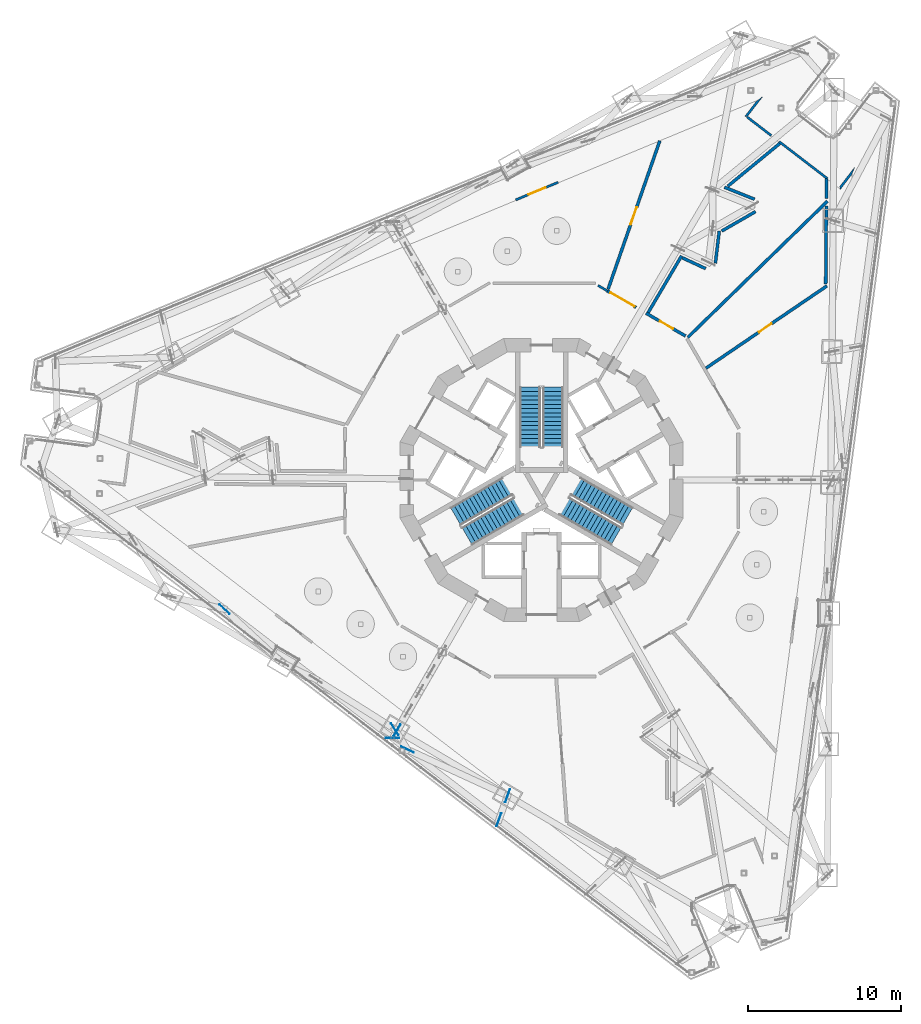
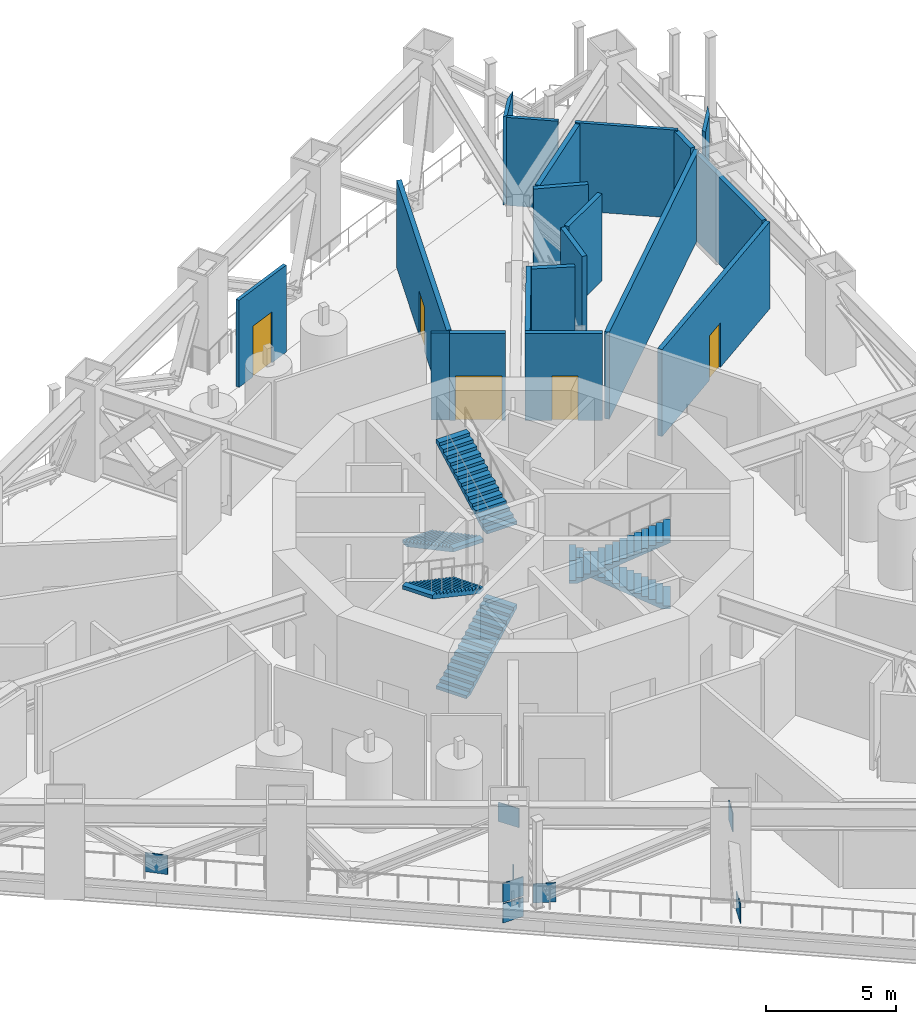
# One storey, part 12 of 23: 19 walls, 8 discrete accessories, 6 stair flights, 5 doors, 5 openings, 3 elements without a shape of their own.
"""IFC4 building model written with IfcOpenShell, lengths in metres."""

from ifc_helpers import new_model, si_unit, direction, frame, frame_2d, origin, origin_2d, place, context, subcontext, project, spatial, polyline, rectangle, outline, extrude, material, layer, layer_set, type_object, element, fill, aggregate, save


model = new_model("IFC4")

# Units and contexts
model_context = context("Model", 3, precision=1e-05, world=origin(), true_north=direction((0.0, 1.0)))
body_context = subcontext(model_context, "Body", "Model", "MODEL_VIEW")
ifc_project = project(units=[si_unit("LENGTHUNIT", "METRE"), si_unit("AREAUNIT", "SQUARE_METRE"), si_unit("VOLUMEUNIT", "CUBIC_METRE"), si_unit("PLANEANGLEUNIT", "RADIAN"), si_unit("MASSUNIT", "GRAM", prefix="KILO")], contexts=[model_context])

# Site, building, storey
site_placement = place(None, origin())
site = spatial("IfcSite", under=ifc_project, at=site_placement, CompositionType="ELEMENT")
building_placement = place(site_placement, origin())
building = spatial("IfcBuilding", under=site, at=building_placement, Name="Trine Commons Tower", CompositionType="ELEMENT")
storey_placement = place(building_placement, frame((0.0, 0.0, 156.60009765625)))
storey = spatial("IfcBuildingStorey", under=building, at=storey_placement, Name="L40", CompositionType="ELEMENT", Elevation=156.60009765625)

# Wall
ifc_material_1 = material(Name="Plasterboard on steel stud", Category="steel")
ifc_layer_1 = layer(ifc_material_1, 0.14990234375)
ifc_layer_set_1 = layer_set([ifc_layer_1], Name="Plasterboard on steel stud")
wall_type_1 = type_object("IfcWallType", Name="Compartment wall 150 mm, EI 60", PredefinedType="PARTITIONING", material=ifc_layer_set_1)
wall_1_placement = place(storey_placement, frame((83.691650390625, 75.23291015625, 0.0), z_axis=(0.0, 0.0, 1.0), x_axis=(0.866015650984, -0.500016891966, 0.0)))
element("IfcWall", 1, at=wall_1_placement, inside=storey, type_object=wall_type_1, Name="Partition M40029", PredefinedType="PARTITIONING", context=body_context, shape_type="SweptSolid", body=[
    extrude(rectangle(XDim=0.7177734375, YDim=0.14990234375, at=frame_2d((0.35888671875, 0.0))), origin(), (0.0, 0.0, 1.0), 4.099853515625),
])

# Wall, opening, door
ifc_layer_2 = layer(ifc_material_1, 0.199951171875)
ifc_layer_set_2 = layer_set([ifc_layer_2], Name="Plasterboard on steel stud")
wall_type_2 = type_object("IfcWallType", Name="Fire wall 200 mm, EI 120", PredefinedType="PARTITIONING", material=ifc_layer_set_2)
wall_2_placement = place(storey_placement, frame((86.187255859375, 73.7919921875, 0.0), z_axis=(0.0, 0.0, 1.0), x_axis=(-0.865992090159, 0.500057696454, 0.0)))
wall_2 = element("IfcWall", 2, at=wall_2_placement, inside=storey, type_object=wall_type_2, Name="Partition M40030", PredefinedType="PARTITIONING", context=body_context, shape_type="SweptSolid", body=[
    extrude(rectangle(XDim=2.164306640625, YDim=0.199951171875, at=frame_2d((1.08203125, 0.0))), origin(), (0.0, 0.0, 1.0), 4.099853515625),
])
opening_1_placement = place(wall_2_placement, frame((0.132080078125, 0.0, 0.0)))
opening_1 = element("IfcOpeningElement", 3, at=opening_1_placement, cuts=wall_2, Name="Opening D-M4008", PredefinedType="OPENING", context=body_context, shape_type="SweptSolid", body=[
    extrude(rectangle(XDim=1.800048828125, YDim=2.10009765625, at=frame_2d((0.89990234375, 1.050048828125))), frame((0.0, 0.10986328125, 0.0), z_axis=(0.0, -1.0, 0.0), x_axis=(1.0, 0.0, 0.0)), (0.0, 0.0, 1.0), 0.219970703125),
])
ifc_material_2 = material(Name="Timber fire door set", Category="wood")
door_type_1 = type_object("IfcDoorType", Name="Double swing door 1800x2100, FD60", OperationType="DOUBLE_DOOR_DOUBLE_SWING", PredefinedType="DOOR", material=ifc_material_2)
door_1_placement = place(opening_1_placement, origin())
door_1 = element("IfcDoor", 4, at=door_1_placement, inside=storey, type_object=door_type_1, Name="Door D-M4008", OperationType="DOUBLE_DOOR_DOUBLE_SWING", OverallHeight=2.10009765625, OverallWidth=1.800048828125, PredefinedType="DOOR", context=body_context, shape_type="SweptSolid", body=[
    extrude(rectangle(XDim=1.800048828125, YDim=2.10009765625, at=frame_2d((0.89990234375, 1.050048828125))), frame((0.0, 0.02490234375, 0.0), z_axis=(0.0, -1.0, 0.0), x_axis=(1.0, 0.0, 0.0)), (0.0, 0.0, 1.0), 0.050048828125),
])
fill(opening_1, door_1)

wall_3_placement = place(storey_placement, frame((87.73974609375, 84.705322265625, 0.0), z_axis=(0.0, 0.0, 1.0), x_axis=(-0.329138006897, -0.944281828913, 0.0)))
wall_3 = element("IfcWall", 5, at=wall_3_placement, inside=storey, type_object=wall_type_2, Name="Partition M40031", PredefinedType="PARTITIONING", context=body_context, shape_type="SweptSolid", body=[
    extrude(rectangle(XDim=10.290283203125, YDim=0.199951171875, at=frame_2d((5.14501953125, 0.0))), origin(), (0.0, 0.0, 1.0), 4.099853515625),
])
opening_2_placement = place(wall_3_placement, frame((4.605712890625, 0.0, 0.0)))
opening_2 = element("IfcOpeningElement", 6, at=opening_2_placement, cuts=wall_3, Name="Opening D-M4009", PredefinedType="OPENING", context=body_context, shape_type="SweptSolid", body=[
    extrude(rectangle(XDim=1.199951171875, YDim=2.10009765625, at=frame_2d((0.60009765625, 1.050048828125))), frame((0.0, 0.10986328125, 0.0), z_axis=(0.0, -1.0, 0.0), x_axis=(1.0, 0.0, 0.0)), (0.0, 0.0, 1.0), 0.219970703125),
])
door_type_2 = type_object("IfcDoorType", Name="Single swing door 1200x2100, FD60", OperationType="SINGLE_SWING_LEFT", PredefinedType="DOOR", material=ifc_material_2)
door_2_placement = place(opening_2_placement, origin())
door_2 = element("IfcDoor", 7, at=door_2_placement, inside=storey, type_object=door_type_2, Name="Door D-M4009", OperationType="SINGLE_SWING_LEFT", OverallHeight=2.10009765625, OverallWidth=1.199951171875, PredefinedType="DOOR", context=body_context, shape_type="SweptSolid", body=[
    extrude(rectangle(XDim=1.199951171875, YDim=2.10009765625, at=frame_2d((0.60009765625, 1.050048828125))), frame((0.0, 0.02490234375, 0.0), z_axis=(0.0, -1.0, 0.0), x_axis=(1.0, 0.0, 0.0)), (0.0, 0.0, 1.0), 0.050048828125),
])
fill(opening_2, door_2)

wall_4_placement = place(storey_placement, frame((86.836669921875, 73.417236328125, 0.0), z_axis=(0.0, 0.0, 1.0), x_axis=(0.866011369566, -0.500024307192, 0.0)))
wall_4 = element("IfcWall", 8, at=wall_4_placement, inside=storey, type_object=wall_type_2, Name="Partition M40036", PredefinedType="PARTITIONING", context=body_context, shape_type="SweptSolid", body=[
    extrude(rectangle(XDim=2.987060546875, YDim=0.199951171875, at=frame_2d((1.49365234375, 0.0))), origin(), (0.0, 0.0, 1.0), 4.099853515625),
])
opening_3_placement = place(wall_4_placement, frame((1.04345703125, 0.0, 0.0)))
opening_3 = element("IfcOpeningElement", 9, at=opening_3_placement, cuts=wall_4, Name="Opening D-M4011", PredefinedType="OPENING", context=body_context, shape_type="SweptSolid", body=[
    extrude(rectangle(XDim=1.0, YDim=2.10009765625, at=frame_2d((0.5, 1.050048828125))), frame((0.0, 0.10986328125, 0.0), z_axis=(0.0, -1.0, 0.0), x_axis=(1.0, 0.0, 0.0)), (0.0, 0.0, 1.0), 0.219970703125),
])
door_type_3 = type_object("IfcDoorType", Name="Single swing door 1000x2100, FD60", OperationType="SINGLE_SWING_LEFT", PredefinedType="DOOR", material=ifc_material_2)
door_3_placement = place(opening_3_placement, origin())
door_3 = element("IfcDoor", 10, at=door_3_placement, inside=storey, type_object=door_type_3, Name="Door D-M4011", OperationType="SINGLE_SWING_LEFT", OverallHeight=2.10009765625, OverallWidth=1.0, PredefinedType="DOOR", context=body_context, shape_type="SweptSolid", body=[
    extrude(rectangle(XDim=1.0, YDim=2.10009765625, at=frame_2d((0.5, 1.050048828125))), frame((0.0, 0.02490234375, 0.0), z_axis=(0.0, -1.0, 0.0), x_axis=(1.0, 0.0, 0.0)), (0.0, 0.0, 1.0), 0.050048828125),
])
fill(opening_3, door_3)

# Walls
wall_5_placement = place(storey_placement, frame((86.9755859375, 73.455810546875, 0.0), z_axis=(0.0, 0.0, 1.0), x_axis=(0.507568634504, 0.861611328424, 0.0)))
element("IfcWall", 11, at=wall_5_placement, inside=storey, type_object=wall_type_2, Name="Partition M40037", PredefinedType="PARTITIONING", context=body_context, shape_type="SweptSolid", body=[
    extrude(rectangle(XDim=4.3173828125, YDim=0.199951171875, at=frame_2d((2.15869140625, 0.0))), origin(), (0.0, 0.0, 1.0), 4.099853515625),
])
wall_6_placement = place(storey_placement, frame((89.21630859375, 77.043212890625, 0.0), z_axis=(0.0, 0.0, 1.0), x_axis=(0.90717537535, -0.420752704518, 0.0)))
element("IfcWall", 12, at=wall_6_placement, inside=storey, type_object=wall_type_2, Name="Partition M40042", PredefinedType="PARTITIONING", context=body_context, shape_type="SweptSolid", body=[
    extrude(rectangle(XDim=1.680419921875, YDim=0.199951171875, at=frame_2d((0.84033203125, 0.0))), origin(), (0.0, 0.0, 1.0), 4.099853515625),
])
wall_7_placement = place(storey_placement, frame((89.573486328125, 71.8369140625, 0.0), z_axis=(0.0, 0.0, 1.0), x_axis=(0.715909856784, 0.698192721933, 0.0)))
element("IfcWall", 13, at=wall_7_placement, inside=storey, type_object=wall_type_2, Name="Partition M40045", PredefinedType="PARTITIONING", context=body_context, shape_type="SweptSolid", body=[
    extrude(rectangle(XDim=12.77392578125, YDim=0.199951171875, at=frame_2d((6.386962890625, 0.0))), origin(), (0.0, 0.0, 1.0), 4.099853515625),
])

# Wall, opening, door
wall_8_placement = place(storey_placement, frame((98.681396484375, 75.20361328125, 0.0), z_axis=(0.0, 0.0, 1.0), x_axis=(-0.826924131101, -0.56231350811, 0.0)))
wall_8 = element("IfcWall", 14, at=wall_8_placement, inside=storey, type_object=wall_type_2, Name="Partition M40047", PredefinedType="PARTITIONING", context=body_context, shape_type="SweptSolid", body=[
    extrude(rectangle(XDim=9.576171875, YDim=0.199951171875, at=frame_2d((4.7880859375, 0.0))), origin(), (0.0, 0.0, 1.0), 4.099853515625),
])
opening_4_placement = place(wall_8_placement, frame((4.3916015625, 0.0, 0.0)))
opening_4 = element("IfcOpeningElement", 15, at=opening_4_placement, cuts=wall_8, Name="Opening D-M4014", PredefinedType="OPENING", context=body_context, shape_type="SweptSolid", body=[
    extrude(rectangle(XDim=1.0, YDim=2.10009765625, at=frame_2d((0.5, 1.050048828125))), frame((0.0, 0.10986328125, 0.0), z_axis=(0.0, -1.0, 0.0), x_axis=(1.0, 0.0, 0.0)), (0.0, 0.0, 1.0), 0.219970703125),
])
door_4_placement = place(opening_4_placement, origin())
door_4 = element("IfcDoor", 16, at=door_4_placement, inside=storey, type_object=door_type_3, Name="Door D-M4014", OperationType="SINGLE_SWING_LEFT", OverallHeight=2.10009765625, OverallWidth=1.0, PredefinedType="DOOR", context=body_context, shape_type="SweptSolid", body=[
    extrude(rectangle(XDim=1.0, YDim=2.10009765625, at=frame_2d((0.5, 1.050048828125))), frame((0.0, 0.02490234375, 0.0), z_axis=(0.0, -1.0, 0.0), x_axis=(1.0, 0.0, 0.0)), (0.0, 0.0, 1.0), 0.050048828125),
])
fill(opening_4, door_4)

# Walls
wall_9_placement = place(storey_placement, frame((91.376953125, 76.690673828125, 0.0), z_axis=(0.0, 0.0, 1.0), x_axis=(0.119508760601, 0.992833146173, 0.0)))
element("IfcWall", 17, at=wall_9_placement, inside=storey, type_object=wall_type_2, Name="Partition M40048", PredefinedType="PARTITIONING", context=body_context, shape_type="SweptSolid", body=[
    extrude(rectangle(XDim=2.118408203125, YDim=0.199951171875, at=frame_2d((1.05908203125, 0.0))), origin(), (0.0, 0.0, 1.0), 4.099853515625),
])
wall_10_placement = place(storey_placement, frame((91.791259765625, 78.79443359375, 0.0), z_axis=(0.0, 0.0, 1.0), x_axis=(0.866638738251, 0.498936165619, 0.0)))
element("IfcWall", 18, at=wall_10_placement, inside=storey, type_object=wall_type_2, Name="Partition M40049", PredefinedType="PARTITIONING", context=body_context, shape_type="SweptSolid", body=[
    extrude(rectangle(XDim=2.55419921875, YDim=0.199951171875, at=frame_2d((1.277099609375, 0.0))), origin(), (0.0, 0.0, 1.0), 4.099853515625),
])
wall_11_placement = place(storey_placement, frame((91.96728515625, 81.662353515625, 0.0), z_axis=(0.0, 0.0, 1.0), x_axis=(0.929516917736, -0.368779472914, 0.0)))
element("IfcWall", 19, at=wall_11_placement, inside=storey, type_object=wall_type_2, Name="Partition M40050", PredefinedType="PARTITIONING", context=body_context, shape_type="SweptSolid", body=[
    extrude(rectangle(XDim=2.129150390625, YDim=0.199951171875, at=frame_2d((1.064453125, 0.0))), origin(), (0.0, 0.0, 1.0), 4.099853515625),
])
wall_12_placement = place(storey_placement, frame((92.19140625, 81.733154296875, 0.0), z_axis=(0.0, 0.0, 1.0), x_axis=(0.772477643964, 0.63504195891, 0.0)))
element("IfcWall", 20, at=wall_12_placement, inside=storey, type_object=wall_type_2, Name="Partition M40051", PredefinedType="PARTITIONING", context=body_context, shape_type="SweptSolid", body=[
    extrude(rectangle(XDim=4.439208984375, YDim=0.199951171875, at=frame_2d((2.2197265625, 0.0))), origin(), (0.0, 0.0, 1.0), 4.099853515625),
])
wall_13_placement = place(storey_placement, frame((98.600341796875, 75.340576171875, 0.0), z_axis=(0.0, 0.0, 1.0), x_axis=(0.008699479584, 0.999962158812, 0.0)))
element("IfcWall", 21, at=wall_13_placement, inside=storey, type_object=wall_type_2, Name="Partition M40054", PredefinedType="PARTITIONING", context=body_context, shape_type="SweptSolid", body=[
    extrude(rectangle(XDim=5.107666015625, YDim=0.199951171875, at=frame_2d((2.5537109375, 0.0))), origin(), (0.0, 0.0, 1.0), 4.099853515625),
])
wall_14_placement = place(storey_placement, frame((98.649169921875, 80.927978515625, 0.0), z_axis=(0.0, 0.0, 1.0), x_axis=(0.008693680141, 0.999962209249, 0.0)))
element("IfcWall", 22, at=wall_14_placement, inside=storey, type_object=wall_type_2, Name="Partition M40055", PredefinedType="PARTITIONING", context=body_context, shape_type="SweptSolid", body=[
    extrude(rectangle(XDim=1.291748046875, YDim=0.199951171875, at=frame_2d((0.64599609375, 0.0))), origin(), (0.0, 0.0, 1.0), 4.099853515625),
])

# Wall, opening, door
ifc_material_3 = material(Name="Aluminium-framed insulated wall panel", Category="aluminium")
ifc_layer_3 = layer(ifc_material_3, 0.14990234375)
ifc_layer_set_3 = layer_set([ifc_layer_3], Name="Aluminium-framed insulated wall panel")
wall_type_3 = type_object("IfcWallType", Name="Gallery frame wall 150 mm, EI 60", PredefinedType="SOLIDWALL", material=ifc_layer_set_3)
wall_15_placement = place(storey_placement, frame((78.308837890625, 80.8369140625, 0.0), z_axis=(0.0, 0.0, 1.0), x_axis=(0.923895833029, 0.382644077064, 0.0)))
wall_15 = element("IfcWall", 23, at=wall_15_placement, inside=storey, type_object=wall_type_3, Name="Gallery frame wall L40 F1", PredefinedType="SOLIDWALL", context=body_context, shape_type="SweptSolid", body=[
    extrude(rectangle(XDim=3.0, YDim=0.14990234375, at=frame_2d((1.5, 0.0))), origin(), (0.0, 0.0, 1.0), 4.099853515625),
])
opening_5_placement = place(wall_15_placement, frame((0.89990234375, 0.0, 0.0)))
opening_5 = element("IfcOpeningElement", 24, at=opening_5_placement, cuts=wall_15, Name="Opening D-GD1", PredefinedType="OPENING", context=body_context, shape_type="SweptSolid", body=[
    extrude(rectangle(XDim=1.199951171875, YDim=2.39990234375, at=frame_2d((0.60009765625, 1.199951171875))), frame((0.0, 0.0849609375, 0.0), z_axis=(0.0, -1.0, 0.0), x_axis=(1.0, 0.0, 0.0)), (0.0, 0.0, 1.0), 0.169921875),
])
ifc_material_4 = material(Name="Anodised aluminium frame with double glazing", Category="aluminium")
door_type_4 = type_object("IfcDoorType", Name="Gallery sliding door 1200x2400", OperationType="SLIDING_TO_LEFT", PredefinedType="DOOR", material=ifc_material_4)
door_5_placement = place(opening_5_placement, origin())
door_5 = element("IfcDoor", 25, at=door_5_placement, inside=storey, type_object=door_type_4, Name="Gallery service door L40 F1", OperationType="SLIDING_TO_LEFT", OverallHeight=2.39990234375, OverallWidth=1.199951171875, PredefinedType="DOOR", context=body_context, shape_type="SweptSolid", body=[
    extrude(rectangle(XDim=1.199951171875, YDim=2.39990234375, at=frame_2d((0.60009765625, 1.199951171875))), frame((0.0, 0.02490234375, 0.0), z_axis=(0.0, -1.0, 0.0), x_axis=(1.0, 0.0, 0.0)), (0.0, 0.0, 1.0), 0.050048828125),
])
fill(opening_5, door_5)

# Walls
ifc_material_5 = material(Name="Anodised aluminium louvre blades in an aluminium frame, alloy 6063-T6", Category="aluminium")
ifc_layer_4 = layer(ifc_material_5, 0.14990234375)
ifc_layer_set_4 = layer_set([ifc_layer_4], Name="Anodised aluminium louvre blades in an aluminium frame, alloy 6063-T6")
wall_type_4 = type_object("IfcWallType", Name="Louvre screen wall 150", PredefinedType="SOLIDWALL", material=ifc_layer_set_4)
wall_16_placement = place(storey_placement, frame((94.193115234375, 87.345703125, 0.0), z_axis=(0.0, 0.0, 1.0), x_axis=(-0.608762998157, -0.793352136239, 0.0)))
element("IfcWall", 26, at=wall_16_placement, inside=storey, type_object=wall_type_4, Name="Louvre screen L40-05", PredefinedType="SOLIDWALL", context=body_context, shape_type="SweptSolid", body=[
    extrude(outline(polyline([(0.1494140625, -0.074951171875), (1.385009765625, -0.074951171875), (1.235107421875, 0.074951171875), (-0.410400390625, 0.074951171875), (0.1494140625, -0.074951171875)])), origin(), (0.0, 0.0, 1.0), 4.14990234375),
])
wall_17_placement = place(storey_placement, frame((93.447021484375, 86.2666015625, 0.0), z_axis=(0.0, 0.0, 1.0), x_axis=(0.793402374063, -0.608697521624, 0.0)))
element("IfcWall", 27, at=wall_17_placement, inside=storey, type_object=wall_type_4, Name="Louvre screen L40-06", PredefinedType="SOLIDWALL", context=body_context, shape_type="SweptSolid", body=[
    extrude(rectangle(XDim=2.00390625, YDim=0.14990234375, at=frame_2d((1.001953125, 0.0))), origin(), (0.0, 0.0, 1.0), 4.14990234375),
])
wall_18_placement = place(storey_placement, frame((95.553955078125, 84.650146484375, 0.0), z_axis=(0.0, 0.0, 1.0), x_axis=(0.793358692504, -0.608754453805, 0.0)))
element("IfcWall", 28, at=wall_18_placement, inside=storey, type_object=wall_type_4, Name="Louvre screen L40-07", PredefinedType="SOLIDWALL", context=body_context, shape_type="SweptSolid", body=[
    extrude(rectangle(XDim=3.999267578125, YDim=0.14990234375, at=frame_2d((1.99951171875, 0.0))), origin(), (0.0, 0.0, 1.0), 4.14990234375),
])
wall_19_placement = place(storey_placement, frame((99.5068359375, 81.57275390625, 0.0), z_axis=(0.0, 0.0, 1.0), x_axis=(0.608762998157, 0.793352136239, 0.0)))
element("IfcWall", 29, at=wall_19_placement, inside=storey, type_object=wall_type_4, Name="Louvre screen L40-08", PredefinedType="SOLIDWALL", context=body_context, shape_type="SweptSolid", body=[
    extrude(outline(polyline([(-0.0400390625, -0.074951171875), (1.19580078125, -0.074951171875), (1.755615234375, 0.074951171875), (0.110107421875, 0.074951171875), (-0.0400390625, -0.074951171875)])), origin(), (0.0, 0.0, 1.0), 4.14990234375),
])

# Stair, stair flights
ifc_material_6 = material(Name="Concrete C50/60", Category="concrete")
stair_type = type_object("IfcStairType", Name="Exit stair, dog-leg, 30 risers of 150 mm", PredefinedType="HALF_TURN_STAIR", material=ifc_material_6)
stair_1_placement = place(storey_placement, origin())
stair_1 = element("IfcStair", 30, at=stair_1_placement, inside=storey, type_object=stair_type, Name="L40 Exit stair ST1B", PredefinedType="HALF_TURN_STAIR")
stair_flight_type = type_object("IfcStairFlightType", Name="Stair flight, 1350 wide, 15 risers of 150 mm", PredefinedType="STRAIGHT", material=ifc_material_6)
stair_flight_1_placement = place(storey_placement, frame((79.25, 68.570556640625, 0.0), z_axis=(0.0, 0.0, 1.0), x_axis=(0.0, -1.0, 0.0)))
stair_flight_1 = element("IfcStairFlight", 31, at=stair_flight_1_placement, type_object=stair_flight_type, Name="ST1B flight 1", NumberOfRisers=15, NumberOfTreads=14, PredefinedType="STRAIGHT", RiserHeight=0.15, TreadLength=0.28, context=body_context, shape_type="SweptSolid", body=[
    extrude(outline(polyline([(0.0, 0.0), (0.0, 0.14990234375), (0.280029296875, 0.14990234375), (0.280029296875, 0.300048828125), (0.56005859375, 0.300048828125), (0.56005859375, 0.449951171875), (0.840087890625, 0.449951171875), (0.840087890625, 0.60009765625), (1.1201171875, 0.60009765625), (1.1201171875, 0.75), (1.39990234375, 0.75), (1.39990234375, 0.89990234375), (1.679931640625, 0.89990234375), (1.679931640625, 1.050048828125), (1.9599609375, 1.050048828125), (1.9599609375, 1.199951171875), (2.239990234375, 1.199951171875), (2.239990234375, 1.35009765625), (2.52001953125, 1.35009765625), (2.52001953125, 1.5), (2.800048828125, 1.5), (2.800048828125, 1.64990234375), (3.080078125, 1.64990234375), (3.080078125, 1.800048828125), (3.360107421875, 1.800048828125), (3.360107421875, 1.949951171875), (3.639892578125, 1.949951171875), (3.639892578125, 2.10009765625), (3.919921875, 2.10009765625), (3.919921875, 2.25), (3.919921875, 1.929931640625), (0.3173828125, 0.0), (0.0, 0.0)])), frame((0.0, 0.675048828125, 0.0), z_axis=(0.0, -1.0, 0.0), x_axis=(1.0, 0.0, 0.0)), (0.0, 0.0, 1.0), 1.35009765625),
])
stair_flight_2_placement = place(storey_placement, frame((80.75, 64.650634765625, 2.25), z_axis=(0.0, 0.0, 1.0), x_axis=(0.0, 1.0, 0.0)))
stair_flight_2 = element("IfcStairFlight", 32, at=stair_flight_2_placement, type_object=stair_flight_type, Name="ST1B flight 2", NumberOfRisers=15, NumberOfTreads=14, PredefinedType="STRAIGHT", RiserHeight=0.15, TreadLength=0.28, context=body_context, shape_type="SweptSolid", body=[
    extrude(outline(polyline([(0.0, 0.0), (0.0, 0.14990234375), (0.280029296875, 0.14990234375), (0.280029296875, 0.300048828125), (0.56005859375, 0.300048828125), (0.56005859375, 0.449951171875), (0.840087890625, 0.449951171875), (0.840087890625, 0.60009765625), (1.1201171875, 0.60009765625), (1.1201171875, 0.75), (1.39990234375, 0.75), (1.39990234375, 0.89990234375), (1.679931640625, 0.89990234375), (1.679931640625, 1.050048828125), (1.9599609375, 1.050048828125), (1.9599609375, 1.199951171875), (2.239990234375, 1.199951171875), (2.239990234375, 1.35009765625), (2.52001953125, 1.35009765625), (2.52001953125, 1.5), (2.800048828125, 1.5), (2.800048828125, 1.64990234375), (3.080078125, 1.64990234375), (3.080078125, 1.800048828125), (3.360107421875, 1.800048828125), (3.360107421875, 1.949951171875), (3.639892578125, 1.949951171875), (3.639892578125, 2.10009765625), (3.919921875, 2.10009765625), (3.919921875, 2.25), (3.919921875, 1.929931640625), (0.3173828125, 0.0), (0.0, 0.0)])), frame((0.0, 0.675048828125, 0.0), z_axis=(0.0, -1.0, 0.0), x_axis=(1.0, 0.0, 0.0)), (0.0, 0.0, 1.0), 1.35009765625),
])
aggregate(stair_1, [stair_flight_1, stair_flight_2])

stair_2_placement = place(storey_placement, origin())
stair_2 = element("IfcStair", 33, at=stair_2_placement, inside=storey, type_object=stair_type, Name="L40 Exit stair ST2B", PredefinedType="HALF_TURN_STAIR")
stair_flight_3_placement = place(storey_placement, frame((75.11767578125, 58.815185546875, 0.0), z_axis=(0.0, 0.0, 1.0), x_axis=(0.866025403784, 0.5, 0.0)))
stair_flight_3 = element("IfcStairFlight", 34, at=stair_flight_3_placement, type_object=stair_flight_type, Name="ST2B flight 1", NumberOfRisers=15, NumberOfTreads=14, PredefinedType="STRAIGHT", RiserHeight=0.15, TreadLength=0.28, context=body_context, shape_type="SweptSolid", body=[
    extrude(outline(polyline([(0.0, 0.0), (0.0, 0.14990234375), (0.280029296875, 0.14990234375), (0.280029296875, 0.300048828125), (0.56005859375, 0.300048828125), (0.56005859375, 0.449951171875), (0.840087890625, 0.449951171875), (0.840087890625, 0.60009765625), (1.1201171875, 0.60009765625), (1.1201171875, 0.75), (1.39990234375, 0.75), (1.39990234375, 0.89990234375), (1.679931640625, 0.89990234375), (1.679931640625, 1.050048828125), (1.9599609375, 1.050048828125), (1.9599609375, 1.199951171875), (2.239990234375, 1.199951171875), (2.239990234375, 1.35009765625), (2.52001953125, 1.35009765625), (2.52001953125, 1.5), (2.800048828125, 1.5), (2.800048828125, 1.64990234375), (3.080078125, 1.64990234375), (3.080078125, 1.800048828125), (3.360107421875, 1.800048828125), (3.360107421875, 1.949951171875), (3.639892578125, 1.949951171875), (3.639892578125, 2.10009765625), (3.919921875, 2.10009765625), (3.919921875, 2.25), (3.919921875, 1.929931640625), (0.3173828125, 0.0), (0.0, 0.0)])), frame((0.0, 0.675048828125, 0.0), z_axis=(0.0, -1.0, 0.0), x_axis=(1.0, 0.0, 0.0)), (0.0, 0.0, 1.0), 1.35009765625),
])
stair_flight_4_placement = place(storey_placement, frame((77.762451171875, 62.07421875, 2.25), z_axis=(0.0, 0.0, 1.0), x_axis=(-0.866025403784, -0.5, 0.0)))
stair_flight_4 = element("IfcStairFlight", 35, at=stair_flight_4_placement, type_object=stair_flight_type, Name="ST2B flight 2", NumberOfRisers=15, NumberOfTreads=14, PredefinedType="STRAIGHT", RiserHeight=0.15, TreadLength=0.28, context=body_context, shape_type="SweptSolid", body=[
    extrude(outline(polyline([(0.0, 0.0), (0.0, 0.14990234375), (0.280029296875, 0.14990234375), (0.280029296875, 0.300048828125), (0.56005859375, 0.300048828125), (0.56005859375, 0.449951171875), (0.840087890625, 0.449951171875), (0.840087890625, 0.60009765625), (1.1201171875, 0.60009765625), (1.1201171875, 0.75), (1.39990234375, 0.75), (1.39990234375, 0.89990234375), (1.679931640625, 0.89990234375), (1.679931640625, 1.050048828125), (1.9599609375, 1.050048828125), (1.9599609375, 1.199951171875), (2.239990234375, 1.199951171875), (2.239990234375, 1.35009765625), (2.52001953125, 1.35009765625), (2.52001953125, 1.5), (2.800048828125, 1.5), (2.800048828125, 1.64990234375), (3.080078125, 1.64990234375), (3.080078125, 1.800048828125), (3.360107421875, 1.800048828125), (3.360107421875, 1.949951171875), (3.639892578125, 1.949951171875), (3.639892578125, 2.10009765625), (3.919921875, 2.10009765625), (3.919921875, 2.25), (3.919921875, 1.929931640625), (0.3173828125, 0.0), (0.0, 0.0)])), frame((0.0, 0.675048828125, 0.0), z_axis=(0.0, -1.0, 0.0), x_axis=(1.0, 0.0, 0.0)), (0.0, 0.0, 1.0), 1.35009765625),
])
aggregate(stair_2, [stair_flight_3, stair_flight_4])

stair_3_placement = place(storey_placement, origin())
stair_3 = element("IfcStair", 36, at=stair_3_placement, inside=storey, type_object=stair_type, Name="L40 Exit stair ST3B", PredefinedType="HALF_TURN_STAIR")
stair_flight_5_placement = place(storey_placement, frame((85.63232421875, 60.1142578125, 0.0), z_axis=(0.0, 0.0, 1.0), x_axis=(-0.866025403784, 0.5, 0.0)))
stair_flight_5 = element("IfcStairFlight", 37, at=stair_flight_5_placement, type_object=stair_flight_type, Name="ST3B flight 1", NumberOfRisers=15, NumberOfTreads=14, PredefinedType="STRAIGHT", RiserHeight=0.15, TreadLength=0.28, context=body_context, shape_type="SweptSolid", body=[
    extrude(outline(polyline([(0.0, 0.0), (0.0, 0.14990234375), (0.280029296875, 0.14990234375), (0.280029296875, 0.300048828125), (0.56005859375, 0.300048828125), (0.56005859375, 0.449951171875), (0.840087890625, 0.449951171875), (0.840087890625, 0.60009765625), (1.1201171875, 0.60009765625), (1.1201171875, 0.75), (1.39990234375, 0.75), (1.39990234375, 0.89990234375), (1.679931640625, 0.89990234375), (1.679931640625, 1.050048828125), (1.9599609375, 1.050048828125), (1.9599609375, 1.199951171875), (2.239990234375, 1.199951171875), (2.239990234375, 1.35009765625), (2.52001953125, 1.35009765625), (2.52001953125, 1.5), (2.800048828125, 1.5), (2.800048828125, 1.64990234375), (3.080078125, 1.64990234375), (3.080078125, 1.800048828125), (3.360107421875, 1.800048828125), (3.360107421875, 1.949951171875), (3.639892578125, 1.949951171875), (3.639892578125, 2.10009765625), (3.919921875, 2.10009765625), (3.919921875, 2.25), (3.919921875, 1.929931640625), (0.3173828125, 0.0), (0.0, 0.0)])), frame((0.0, 0.675048828125, 0.0), z_axis=(0.0, -1.0, 0.0), x_axis=(1.0, 0.0, 0.0)), (0.0, 0.0, 1.0), 1.35009765625),
])
stair_flight_6_placement = place(storey_placement, frame((81.487548828125, 60.775146484375, 2.25), z_axis=(0.0, 0.0, 1.0), x_axis=(0.866025403784, -0.5, 0.0)))
stair_flight_6 = element("IfcStairFlight", 38, at=stair_flight_6_placement, type_object=stair_flight_type, Name="ST3B flight 2", NumberOfRisers=15, NumberOfTreads=14, PredefinedType="STRAIGHT", RiserHeight=0.15, TreadLength=0.28, context=body_context, shape_type="SweptSolid", body=[
    extrude(outline(polyline([(0.0, 0.0), (0.0, 0.14990234375), (0.280029296875, 0.14990234375), (0.280029296875, 0.300048828125), (0.56005859375, 0.300048828125), (0.56005859375, 0.449951171875), (0.840087890625, 0.449951171875), (0.840087890625, 0.60009765625), (1.1201171875, 0.60009765625), (1.1201171875, 0.75), (1.39990234375, 0.75), (1.39990234375, 0.89990234375), (1.679931640625, 0.89990234375), (1.679931640625, 1.050048828125), (1.9599609375, 1.050048828125), (1.9599609375, 1.199951171875), (2.239990234375, 1.199951171875), (2.239990234375, 1.35009765625), (2.52001953125, 1.35009765625), (2.52001953125, 1.5), (2.800048828125, 1.5), (2.800048828125, 1.64990234375), (3.080078125, 1.64990234375), (3.080078125, 1.800048828125), (3.360107421875, 1.800048828125), (3.360107421875, 1.949951171875), (3.639892578125, 1.949951171875), (3.639892578125, 2.10009765625), (3.919921875, 2.10009765625), (3.919921875, 2.25), (3.919921875, 1.929931640625), (0.3173828125, 0.0), (0.0, 0.0)])), frame((0.0, 0.675048828125, 0.0), z_axis=(0.0, -1.0, 0.0), x_axis=(1.0, 0.0, 0.0)), (0.0, 0.0, 1.0), 1.35009765625),
])
aggregate(stair_3, [stair_flight_5, stair_flight_6])

# Discrete accessories
ifc_material_7 = material(Name="Structural steel ASTM A572 Gr50", Category="steel")
for number, where, z_axis, x_axis, name in (
    (39, (70.239990234375, 45.594970703125, -0.900146484375), (0.0, 0.0, 1.0), (1.0, 0.0, 0.0), "Gusset plate GP4-01"),
    (40, (59.2314453125, 54.0419921875, 0.032470703125), (0.0, 0.0, 1.0), (0.73217448615, -0.681117113154, 0.0), "Gusset plate GP4-09"),
    (41, (71.214111328125, 44.847412109375, 0.032470703125), (0.0, 0.0, 1.0), (0.908632121192, -0.417597495609, 0.0), "Gusset plate GP4-14"),
    (42, (77.20556640625, 40.25, 0.032470703125), (0.0, 0.0, 1.0), (0.337588165017, 0.941293913101, 0.0), "Gusset plate GP4-16"),
    (43, (70.239990234375, 45.594970703125, 0.07373046875), (0.0, 0.0, 1.0), (1.0, 0.0, 0.0), "Gusset plate GP4-34"),
    (44, (70.531005859375, 46.09912109375, 0.07373046875), (0.0, 0.0, 1.0), (-0.5, -0.866025403784, 0.0), "Gusset plate GP4-36"),
    (45, (70.388427734375, 46.182861328125, 3.176025390625), (0.0, 0.0, 1.0), (-0.525872528002, 0.850563392283, 0.0), "Gusset plate GP4-63"),
    (46, (77.773193359375, 41.8330078125, 3.176025390625), (0.0, 0.0, 1.0), (0.337588165017, 0.941293913101, 0.0), "Gusset plate GP4-70"),
):
    element("IfcDiscreteAccessory", number, at=place(storey_placement, frame(where, z_axis=z_axis, x_axis=x_axis)), inside=storey, material=ifc_material_7, Name=name, PredefinedType="BRACKET", context=body_context, shape_type="SweptSolid", body=[
        extrude(rectangle(XDim=0.89990234375, YDim=0.0400390625, at=origin_2d()), origin(), (0.0, 0.0, 1.0), 0.89990234375),
    ])

save(model, "model.ifc")
